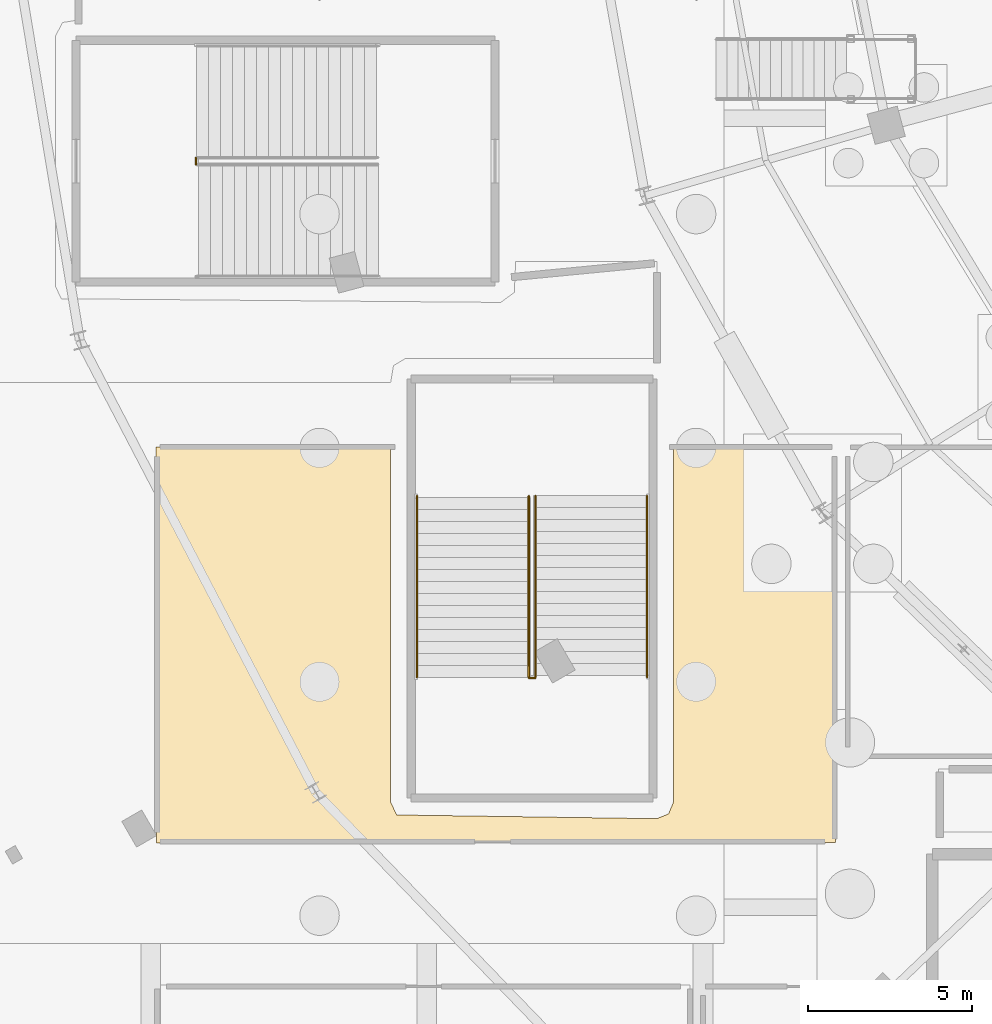
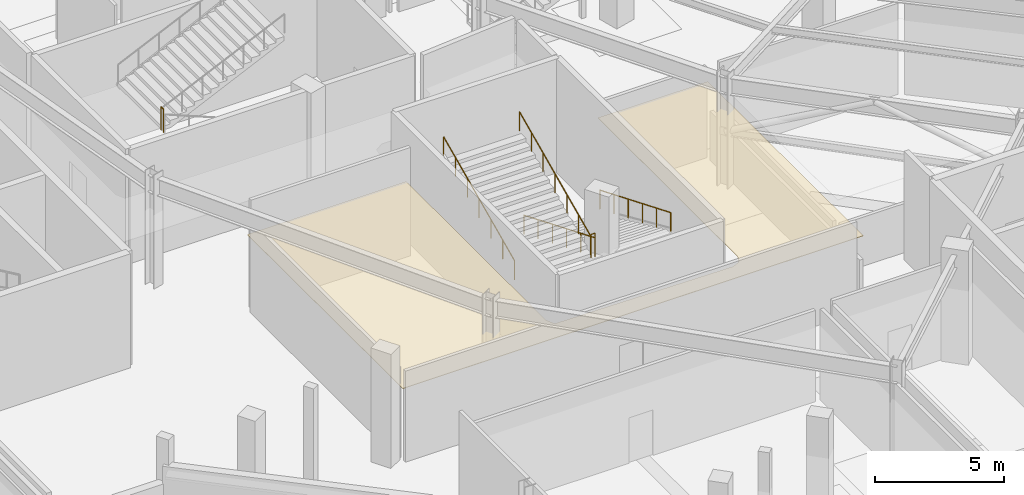
# One storey, part 70 of 93: 6 railings, 1 covering.
"""IFC4 building model written with IfcOpenShell, lengths in metres."""

from ifc_helpers import new_model, si_unit, direction, frame, origin, origin_2d, place, context, subcontext, project, spatial, polyline, circle, outline, extrude, material, layer, layer_set, type_object, element, save


model = new_model("IFC4")

# Units and contexts
model_context = context("Model", 3, precision=1e-05, world=origin(), true_north=direction((0.0, 1.0)))
body_context = subcontext(model_context, "Body", "Model", "MODEL_VIEW")
ifc_project = project(units=[si_unit("LENGTHUNIT", "METRE"), si_unit("AREAUNIT", "SQUARE_METRE"), si_unit("VOLUMEUNIT", "CUBIC_METRE"), si_unit("PLANEANGLEUNIT", "RADIAN"), si_unit("MASSUNIT", "GRAM", prefix="KILO")], contexts=[model_context])

# Site, building, storey
site_placement = place(None, origin())
site = spatial("IfcSite", under=ifc_project, at=site_placement, CompositionType="ELEMENT")
building_placement = place(site_placement, origin())
building = spatial("IfcBuilding", under=site, at=building_placement, Name="Kalgoora Escarpment Arena", CompositionType="ELEMENT")
storey_placement = place(building_placement, origin())
storey = spatial("IfcBuildingStorey", under=building, at=storey_placement, Name="L00", CompositionType="ELEMENT", Elevation=0.0)

# Covering
ifc_material_1 = material(Name="Perforated acoustic mineral-fibre ceiling tile")
ifc_layer = layer(ifc_material_1, 0.02490234375)
ifc_layer_set = layer_set([ifc_layer], Name="COV-CEIL-ACOUSTIC")
covering_type = type_object("IfcCoveringType", Name="COV-CEIL-ACOUSTIC", PredefinedType="CEILING", material=ifc_layer_set)
covering_placement = place(storey_placement, frame((0.0, 0.0, 3.47998046875)))
element("IfcCovering", 1, at=covering_placement, inside=storey, type_object=covering_type, Name="L00 Athlete Warm-Up Studio acoustic suspended ceiling", PredefinedType="CEILING", context=body_context, shape_type="SweptSolid", body=[
    extrude(outline(polyline([(25.36083984375, 46.0078125), (32.5, 46.0400390625), (32.5, 35.199951171875), (32.682861328125, 34.8134765625), (40.60009765625, 34.699951171875), (40.95361328125, 34.846435546875), (41.10009765625, 35.199951171875), (41.10009765625, 46.0400390625), (46.018798828125, 46.035400390625), (46.035400390625, 33.981201171875), (25.381103515625, 33.964599609375), (25.36083984375, 46.0078125)])), origin(), (0.0, 0.0, 1.0), 0.02490234375),
])

# Railings
ifc_material_2 = material(Name="Galvanised & powdercoated tubular steel", Category="steel")
railing_type_1 = type_object("IfcRailingType", Name="RAL-GUARD-1120", PredefinedType="GUARDRAIL", material=ifc_material_2)
railing_1_placement = place(storey_placement, frame((26.574951171875, 54.60009765625, 2.699951171875)))
element("IfcRailing", 2, at=railing_1_placement, inside=storey, type_object=railing_type_1, Name="ST18 L00 half-landing well guard", PredefinedType="GUARDRAIL", context=body_context, shape_type="SweptSolid", body=[
    extrude(circle(Radius=0.02392578125, at=origin_2d()), frame((0.0, 0.0, 1.09619140625), z_axis=(0.0, 1.0, 0.0), x_axis=(-1.0, 0.0, 0.0)), (0.0, 0.0, 1.0), 0.199951171875),
    extrude(circle(Radius=0.02099609375, at=origin_2d()), origin(), (0.0, 0.0, 1.0), 1.072021484375),
    extrude(circle(Radius=0.02099609375, at=origin_2d()), frame((0.0, 0.199951171875, 0.0)), (0.0, 0.0, 1.0), 1.072021484375),
])
railing_2_placement = place(storey_placement, frame((36.889892578125, 38.97509765625, 2.699951171875)))
element("IfcRailing", 3, at=railing_2_placement, inside=storey, type_object=railing_type_1, Name="ST20 L00 half-landing well guard", PredefinedType="GUARDRAIL", context=body_context, shape_type="SweptSolid", body=[
    extrude(circle(Radius=0.02392578125, at=origin_2d()), frame((0.0, 0.0, 1.09619140625), z_axis=(-1.0, 0.0, 0.0), x_axis=(0.0, -1.0, 0.0)), (0.0, 0.0, 1.0), 0.179931640625),
    extrude(circle(Radius=0.02099609375, at=origin_2d()), origin(), (0.0, 0.0, 1.0), 1.072021484375),
    extrude(circle(Radius=0.02099609375, at=origin_2d()), frame((-0.179931640625, 0.0, 0.0)), (0.0, 0.0, 1.0), 1.072021484375),
])
ifc_material_3 = material(Name="Brushed stainless steel 316 handrail", Category="steel")
railing_type_2 = type_object("IfcRailingType", Name="RAL-HAND-920", PredefinedType="HANDRAIL", material=ifc_material_3)
for number, where, name in (
    (4, (40.300048828125, 44.510009765625, 0.388916015625), "ST20 L00 pitched stair handrail F1L"),
    (5, (36.89990234375, 44.510009765625, 0.388916015625), "ST20 L00 pitched stair handrail F1R"),
):
    element("IfcRailing", number, at=place(storey_placement, frame(where)), inside=storey, type_object=railing_type_2, Name=name, PredefinedType="HANDRAIL", context=body_context, shape_type="SweptSolid", body=[
        extrude(circle(Radius=0.02392578125, at=origin_2d()), frame((0.0, 0.0, 0.89599609375), z_axis=(0.0, -0.924430832969, 0.381349754236), x_axis=(1.0, 0.0, 0.0)), (0.0, 0.0, 1.0), 5.955078125),
        extrude(circle(Radius=0.02099609375, at=origin_2d()), origin(), (0.0, 0.0, 1.0), 0.871826171875),
        extrude(circle(Radius=0.02099609375, at=origin_2d()), frame((0.0, -1.10107421875, 0.4541015625)), (0.0, 0.0, 1.0), 0.871826171875),
        extrude(circle(Radius=0.02099609375, at=origin_2d()), frame((0.0, -2.2021484375, 0.908447265625)), (0.0, 0.0, 1.0), 0.871826171875),
        extrude(circle(Radius=0.02099609375, at=origin_2d()), frame((0.0, -3.302978515625, 1.362548828125)), (0.0, 0.0, 1.0), 0.871826171875),
        extrude(circle(Radius=0.02099609375, at=origin_2d()), frame((0.0, -4.404052734375, 1.81689453125)), (0.0, 0.0, 1.0), 0.871826171875),
        extrude(circle(Radius=0.02099609375, at=origin_2d()), frame((0.0, -5.505126953125, 2.27099609375)), (0.0, 0.0, 1.0), 0.871826171875),
    ])
for number, where, name in (
    (6, (36.699951171875, 39.0048828125, 2.828857421875), "ST20 L00 pitched stair handrail F2L"),
    (7, (33.300048828125, 39.0048828125, 2.828857421875), "ST20 L00 pitched stair handrail F2R"),
):
    element("IfcRailing", number, at=place(storey_placement, frame(where)), inside=storey, type_object=railing_type_2, Name=name, PredefinedType="HANDRAIL", context=body_context, shape_type="SweptSolid", body=[
        extrude(circle(Radius=0.02392578125, at=origin_2d()), frame((0.0, 0.0, 0.89599609375), z_axis=(0.0, 0.908559891483, 0.417754621265), x_axis=(-1.0, 0.0, 0.0)), (0.0, 0.0, 1.0), 6.05908203125),
        extrude(circle(Radius=0.02099609375, at=origin_2d()), origin(), (0.0, 0.0, 1.0), 0.871826171875),
        extrude(circle(Radius=0.02099609375, at=origin_2d()), frame((0.0, 0.91748046875, 0.421875)), (0.0, 0.0, 1.0), 0.871826171875),
        extrude(circle(Radius=0.02099609375, at=origin_2d()), frame((0.0, 1.8349609375, 0.84375)), (0.0, 0.0, 1.0), 0.871826171875),
        extrude(circle(Radius=0.02099609375, at=origin_2d()), frame((0.0, 2.75244140625, 1.265625)), (0.0, 0.0, 1.0), 0.871826171875),
        extrude(circle(Radius=0.02099609375, at=origin_2d()), frame((0.0, 3.670166015625, 1.6875)), (0.0, 0.0, 1.0), 0.871826171875),
        extrude(circle(Radius=0.02099609375, at=origin_2d()), frame((0.0, 4.587646484375, 2.109375)), (0.0, 0.0, 1.0), 0.871826171875),
        extrude(circle(Radius=0.02099609375, at=origin_2d()), frame((0.0, 5.505126953125, 2.53125)), (0.0, 0.0, 1.0), 0.871826171875),
    ])

save(model, "model.ifc")
